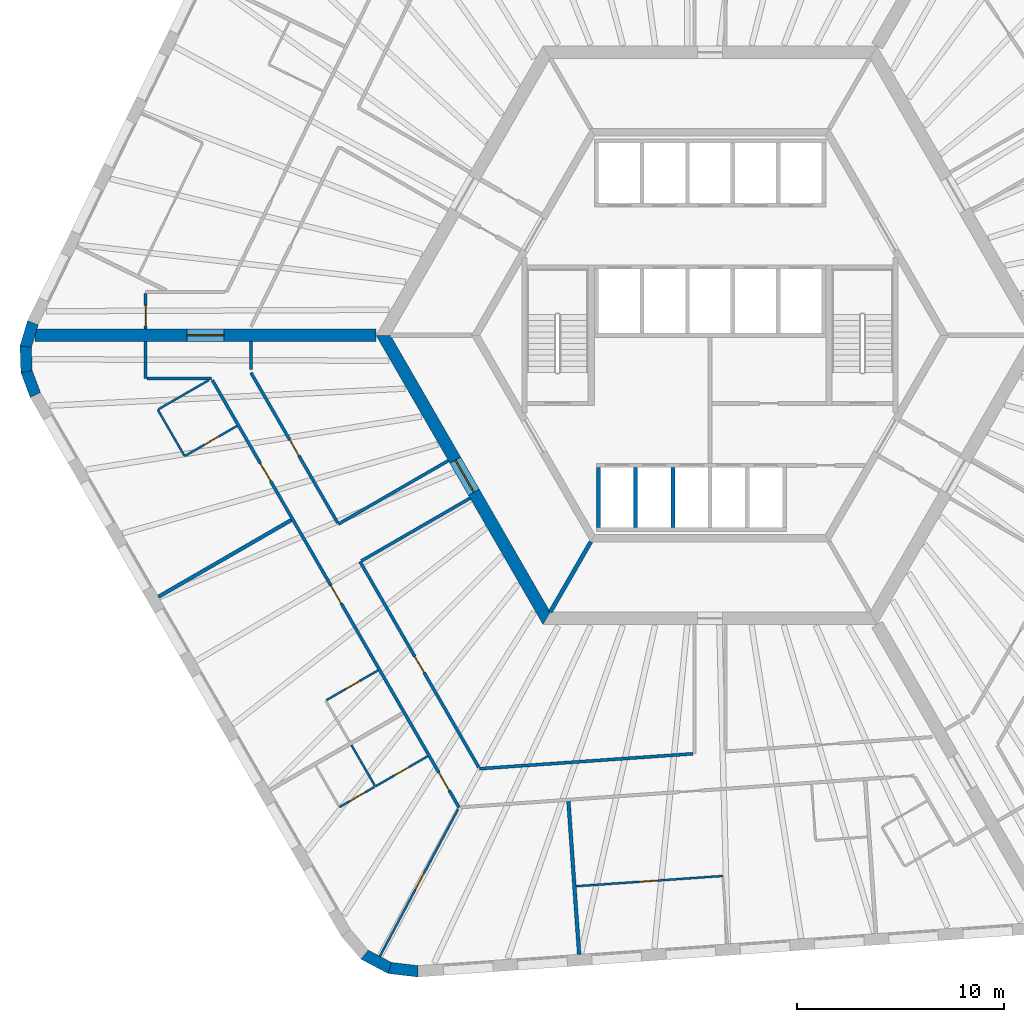
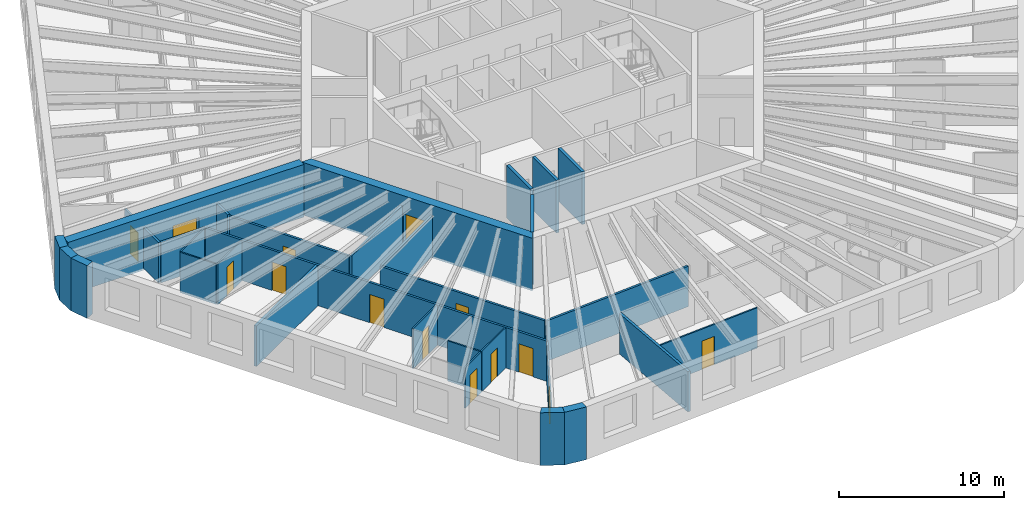
# One storey, part 3 of 12: 32 walls, 14 doors, 14 openings.
"""IFC4 building model written with IfcOpenShell, lengths in metres."""

import ifcopenshell
import ifcopenshell.guid

model = None  # the IFC model being written
_history = None  # IfcOwnerHistory: only IFC2X3 demands one
_inside = {}  # id of a spatial element -> (the spatial element, [elements in it])
_under = {}  # id of a project, library or spatial element -> (it, [spatial elements below it])
_declared = {}  # id of a project -> (the project, [libraries it declares])
_typed = {}  # id of a type object -> (the type object, [elements of that type])
_made_of = {}  # id of a material, layer set ... -> (it, [elements and type objects made of it])


def new_model(schema):
    """Start an empty IFC model of exactly this schema.

    Asked for "IFC4X3", IfcOpenShell would pick the latest addendum, in which some entities
    have other attributes; the version numbers below select the first issue.
    IFC2X3 requires an IfcOwnerHistory on every rooted entity: one is made here for all.
    """
    global model, _history
    if schema == "IFC4X3":
        model = ifcopenshell.file(schema_version=(4, 3, 0, 0))
    else:
        model = ifcopenshell.file(schema=schema)
    _inside.clear()
    _under.clear()
    _declared.clear()
    _typed.clear()
    _made_of.clear()
    _history = None
    if model.schema == "IFC2X3":
        org = make("IfcOrganization", Name="unknown")
        user = make(
            "IfcPersonAndOrganization",
            ThePerson=make("IfcPerson", FamilyName="unknown"),
            TheOrganization=org,
        )
        app = make(
            "IfcApplication",
            ApplicationDeveloper=org,
            Version="unknown",
            ApplicationFullName="unknown",
            ApplicationIdentifier="unknown",
        )
        _history = make(
            "IfcOwnerHistory",
            OwningUser=user,
            OwningApplication=app,
            ChangeAction="ADDED",
            CreationDate=0,
        )
    return model


def make(cls, **values):
    """One entity of the class cls with the attributes given. An attribute that is None is left unset."""
    return model.create_entity(
        cls, **{name: value for name, value in values.items() if value is not None}
    )


def rooted(cls, **values):
    """An entity with a GlobalId (a new one), such as an element, a storey or a relation."""
    return make(cls, GlobalId=ifcopenshell.guid.new(), OwnerHistory=_history, **values)


def si_unit(unit_type, name, prefix=None):
    """IfcSIUnit, for example si_unit("LENGTHUNIT", "METRE", prefix="MILLI")."""
    return make("IfcSIUnit", UnitType=unit_type, Prefix=prefix, Name=name)


def assignment(units):
    """IfcUnitAssignment: the units of a project."""
    return None if units is None else make("IfcUnitAssignment", Units=units)


def point(xyz):
    """IfcCartesianPoint."""
    return None if xyz is None else make("IfcCartesianPoint", Coordinates=xyz)


def direction(xyz):
    """IfcDirection."""
    return None if xyz is None else make("IfcDirection", DirectionRatios=xyz)


def frame(location, z_axis=None, x_axis=None):
    """IfcAxis2Placement3D, a coordinate frame: its origin and axes. An axis left out is left unset."""
    return make(
        "IfcAxis2Placement3D",
        Location=point(location),
        Axis=direction(z_axis),
        RefDirection=direction(x_axis),
    )


def frame_2d(location, x_axis=None):
    """IfcAxis2Placement2D, a coordinate frame in the plane: its origin and x axis."""
    return make(
        "IfcAxis2Placement2D", Location=point(location), RefDirection=direction(x_axis)
    )


def origin():
    """The frame at (0, 0, 0) with its axes left unset."""
    return frame((0.0, 0.0, 0.0))


def place(relative_to, where):
    """IfcLocalPlacement: puts the frame where relative to a parent placement (None: the world)."""
    return make(
        "IfcLocalPlacement", PlacementRelTo=relative_to, RelativePlacement=where
    )


def context(
    kind, dimensions, precision=None, world=None, true_north=None, identifier=None
):
    """IfcGeometricRepresentationContext, for example the 3D "Model" context."""
    return make(
        "IfcGeometricRepresentationContext",
        ContextIdentifier=identifier,
        ContextType=kind,
        CoordinateSpaceDimension=dimensions,
        Precision=precision,
        WorldCoordinateSystem=world,
        TrueNorth=true_north,
    )


def subcontext(parent, identifier, kind, view, scale=None):
    """IfcGeometricRepresentationSubContext, for example "Body" below "Model"."""
    return make(
        "IfcGeometricRepresentationSubContext",
        ContextIdentifier=identifier,
        ContextType=kind,
        ParentContext=parent,
        TargetScale=scale,
        TargetView=view,
    )


def project(units=None, contexts=None):
    """IfcProject with its units and contexts."""
    return rooted(
        "IfcProject",
        Name="project",
        RepresentationContexts=contexts,
        UnitsInContext=assignment(units),
    )


def spatial(cls, under=None, at=None, **own):
    """A site, building, storey or space (cls), placed at a placement, below another one or the project."""
    s = rooted(cls, ObjectPlacement=at, **own)
    if under is not None:
        _under.setdefault(under.id(), (under, []))[1].append(s)
    return s


def polyline(points):
    """IfcPolyline through the points."""
    return make("IfcPolyline", Points=[point(p) for p in points])


def profile(cls, at=None, kind="AREA", **sizes):
    """A parametric profile (cls). Its sizes go by their IFC names, for example OverallWidth=200.0."""
    return make(cls, ProfileType=kind, Position=at, **sizes)


def rectangle(**sizes):
    """IfcRectangleProfileDef."""
    return profile("IfcRectangleProfileDef", **sizes)


def outline(outer, holes=None, kind="AREA"):
    """IfcArbitraryClosedProfileDef: a profile drawn as a closed curve; with holes, ...WithVoids."""
    if holes is None:
        return make("IfcArbitraryClosedProfileDef", ProfileType=kind, OuterCurve=outer)
    return make(
        "IfcArbitraryProfileDefWithVoids",
        ProfileType=kind,
        OuterCurve=outer,
        InnerCurves=holes,
    )


def extrude(swept, where, along, depth):
    """IfcExtrudedAreaSolid: the profile swept, set in the frame where, extruded along a direction by depth."""
    return make(
        "IfcExtrudedAreaSolid",
        SweptArea=swept,
        Position=where,
        ExtrudedDirection=direction(along),
        Depth=depth,
    )


def shape(context_of_items, identifier, shape_type, items):
    """IfcShapeRepresentation: the items that make up one representation, for example the "Body"."""
    return make(
        "IfcShapeRepresentation",
        ContextOfItems=context_of_items,
        RepresentationIdentifier=identifier,
        RepresentationType=shape_type,
        Items=items,
    )


def material(Name=None, Category=None):
    """IfcMaterial."""
    return make("IfcMaterial", Name=Name, Category=Category)


def layer(
    of_material, thickness, ventilated=None, Name=None, Category=None, Priority=None
):
    """IfcMaterialLayer: one layer of a wall or slab, of a material (None: an air gap)."""
    return make(
        "IfcMaterialLayer",
        Material=of_material,
        LayerThickness=thickness,
        IsVentilated=ventilated,
        Name=Name,
        Category=Category,
        Priority=Priority,
    )


def layer_set(layers, Name=None):
    """IfcMaterialLayerSet."""
    return make("IfcMaterialLayerSet", MaterialLayers=layers, LayerSetName=Name)


def made_of(thing, what):
    """Note that an element or type object is made of a material, layer set ...; save() writes the relation."""
    if what is not None:
        _made_of.setdefault(what.id(), (what, []))[1].append(thing)
    return thing


def type_object(cls, material=None, **own):
    """A type object (cls), such as IfcWallType, which elements share."""
    return made_of(rooted(cls, **own), material)


def element(
    cls,
    number,
    at=None,
    inside=None,
    cuts=None,
    type_object=None,
    material=None,
    context=None,
    identifier="Body",
    shape_type=None,
    held_by="IfcProductDefinitionShape",
    body=None,
    shapes=None,
    **own,
):
    """One element of the class cls, such as IfcWall. Its Tag is "e" and its number.

    at: its placement. inside: the storey or other place that contains it. cuts: it is an
    opening in that element (IfcRelVoidsElement). A single representation is given by context,
    identifier, shape_type and body (its items); several are given by shapes. held_by: the class
    of the entity that holds the representations. save() writes the other relations.
    """
    e = rooted(cls, Tag="e%d" % number, ObjectPlacement=at, **own)
    if body is not None:
        shapes = [shape(context, identifier, shape_type, body)]
    if shapes is not None:
        e.Representation = make(held_by, Representations=shapes)
    if inside is not None:
        _inside.setdefault(inside.id(), (inside, []))[1].append(e)
    if cuts is not None:
        rooted(
            "IfcRelVoidsElement", RelatingBuildingElement=cuts, RelatedOpeningElement=e
        )
    if type_object is not None:
        _typed.setdefault(type_object.id(), (type_object, []))[1].append(e)
    return made_of(e, material)


def fill(opening, filler):
    """IfcRelFillsElement: the door or window that sits in an opening."""
    return rooted(
        "IfcRelFillsElement",
        RelatingOpeningElement=opening,
        RelatedBuildingElement=filler,
    )


def aggregate(whole, parts):
    """IfcRelAggregates: a whole, such as a stair, and the parts it consists of."""
    return rooted("IfcRelAggregates", RelatingObject=whole, RelatedObjects=parts)


def save(model, path):
    """Write the relations noted so far, then the file.

    IfcRelAggregates (storeys below a building ...), IfcRelContainedInSpatialStructure (elements
    in a storey), IfcRelDefinesByType, IfcRelAssociatesMaterial and IfcRelDeclares: one each for
    every whole, place, type object, material and project.
    """
    for whole, parts in _under.values():
        aggregate(whole, parts)
    for where, things in _inside.values():
        rooted(
            "IfcRelContainedInSpatialStructure",
            RelatedElements=things,
            RelatingStructure=where,
        )
    for kind, things in _typed.values():
        rooted("IfcRelDefinesByType", RelatedObjects=things, RelatingType=kind)
    for what, things in _made_of.values():
        rooted("IfcRelAssociatesMaterial", RelatedObjects=things, RelatingMaterial=what)
    for by, libraries in _declared.values():
        rooted("IfcRelDeclares", RelatingContext=by, RelatedDefinitions=libraries)
    model.write(path)


model = new_model("IFC4")

# Units and contexts
model_context = context("Model", 3, precision=1e-05, world=origin(), true_north=direction((0.0, 1.0)))
body_context = subcontext(model_context, "Body", "Model", "MODEL_VIEW")
ifc_project = project(units=[si_unit("LENGTHUNIT", "METRE"), si_unit("AREAUNIT", "SQUARE_METRE"), si_unit("VOLUMEUNIT", "CUBIC_METRE"), si_unit("PLANEANGLEUNIT", "RADIAN"), si_unit("MASSUNIT", "GRAM", prefix="KILO")], contexts=[model_context])

# Site, building, storey
site_placement = place(None, origin())
site = spatial("IfcSite", under=ifc_project, at=site_placement, CompositionType="ELEMENT")
building_placement = place(site_placement, origin())
building = spatial("IfcBuilding", under=site, at=building_placement, Name="Tarnside Tower", CompositionType="ELEMENT")
storey_placement = place(building_placement, frame((0.0, 0.0, 115.5)))
storey = spatial("IfcBuildingStorey", under=building, at=storey_placement, Name="L26", CompositionType="ELEMENT", Elevation=115.5)

# Wall, opening, door
ifc_material_1 = material(Name="Gypsum board partition on steel studs", Category="steel")
ifc_layer_1 = layer(ifc_material_1, 0.10009765625)
ifc_layer_set_1 = layer_set([ifc_layer_1], Name="Bathroom wall 100")
wall_type_1 = type_object("IfcWallType", Name="Bathroom wall 100", PredefinedType="PARTITIONING", material=ifc_layer_set_1)
wall_1_placement = place(storey_placement, frame((-22.898193359375, -4.38916015625, 0.0), z_axis=(0.0, 0.0, 1.0), x_axis=(-0.866046596414, -0.499963291492, 0.0)))
wall_1 = element("IfcWall", 1, at=wall_1_placement, inside=storey, type_object=wall_type_1, Name="Bathroom wall 08100", PredefinedType="PARTITIONING", context=body_context, shape_type="SweptSolid", body=[
    extrude(rectangle(XDim=2.925048828125, YDim=0.10009765625, at=frame_2d((1.46240234375, 0.0))), origin(), (0.0, 0.0, 1.0), 2.98779296875),
])
opening_1_placement = place(wall_1_placement, frame((1.02490234375, 0.0, 0.0)))
opening_1 = element("IfcOpeningElement", 2, at=opening_1_placement, cuts=wall_1, Name="Opening D-B1", PredefinedType="OPENING", context=body_context, shape_type="SweptSolid", body=[
    extrude(rectangle(XDim=0.800048828125, YDim=2.10009765625, at=frame_2d((0.39990234375, 1.050048828125))), frame((0.0, 0.06005859375, 0.0), z_axis=(0.0, -1.0, 0.0), x_axis=(1.0, 0.0, 0.0)), (0.0, 0.0, 1.0), 0.1201171875),
])
ifc_material_2 = material(Name="Timber door leaf", Category="wood")
door_type_1 = type_object("IfcDoorType", Name="Bathroom door 800", OperationType="NOTDEFINED", PredefinedType="DOOR", material=ifc_material_2)
door_1_placement = place(opening_1_placement, origin())
door_1 = element("IfcDoor", 3, at=door_1_placement, inside=storey, type_object=door_type_1, Name="Bathroom door 08016", OperationType="SINGLE_SWING_RIGHT", OverallHeight=2.10009765625, OverallWidth=0.800048828125, PredefinedType="DOOR", context=body_context, shape_type="SweptSolid", body=[
    extrude(rectangle(XDim=0.800048828125, YDim=2.10009765625, at=frame_2d((0.39990234375, 1.050048828125))), frame((0.0, 0.02490234375, 0.0), z_axis=(0.0, -1.0, 0.0), x_axis=(1.0, 0.0, 0.0)), (0.0, 0.0, 1.0), 0.050048828125),
])
fill(opening_1, door_1)

# Walls
wall_2_placement = place(storey_placement, frame((-25.456298828125, -5.808349609375, 0.0), z_axis=(0.0, 0.0, 1.0), x_axis=(-0.499990435942, 0.866030925526, 0.0)))
element("IfcWall", 4, at=wall_2_placement, inside=storey, type_object=wall_type_1, Name="Bathroom wall 08101", PredefinedType="PARTITIONING", context=body_context, shape_type="SweptSolid", body=[
    extrude(rectangle(XDim=2.5498046875, YDim=0.10009765625, at=frame_2d((1.27490234375, 0.0))), origin(), (0.0, 0.0, 1.0), 2.98779296875),
])
wall_3_placement = place(storey_placement, frame((-26.68798828125, -3.574951171875, 0.0), z_axis=(0.0, 0.0, 1.0), x_axis=(0.866034573852, 0.49998411664, 0.0)))
element("IfcWall", 5, at=wall_3_placement, inside=storey, type_object=wall_type_1, Name="Bathroom wall 08102", PredefinedType="PARTITIONING", context=body_context, shape_type="SweptSolid", body=[
    extrude(rectangle(XDim=2.7998046875, YDim=0.10009765625, at=frame_2d((1.39990234375, 0.0))), origin(), (0.0, 0.0, 1.0), 2.98779296875),
])

# Wall, opening, door
wall_4_placement = place(storey_placement, frame((-18.55859375, -17.65576171875, 0.0), z_axis=(0.0, 0.0, 1.0), x_axis=(0.866039941686, 0.499974818771, 0.0)))
wall_4 = element("IfcWall", 6, at=wall_4_placement, inside=storey, type_object=wall_type_1, Name="Bathroom wall 08105", PredefinedType="PARTITIONING", context=body_context, shape_type="SweptSolid", body=[
    extrude(rectangle(XDim=2.875244140625, YDim=0.10009765625, at=frame_2d((1.4375, 0.0))), origin(), (0.0, 0.0, 1.0), 2.98779296875),
])
opening_2_placement = place(wall_4_placement, frame((1.050048828125, 0.0, 0.0)))
opening_2 = element("IfcOpeningElement", 7, at=opening_2_placement, cuts=wall_4, Name="Opening D-B1", PredefinedType="OPENING", context=body_context, shape_type="SweptSolid", body=[
    extrude(rectangle(XDim=0.800048828125, YDim=2.10009765625, at=frame_2d((0.39990234375, 1.050048828125))), frame((0.0, 0.06005859375, 0.0), z_axis=(0.0, -1.0, 0.0), x_axis=(1.0, 0.0, 0.0)), (0.0, 0.0, 1.0), 0.1201171875),
])
door_2_placement = place(opening_2_placement, origin())
door_2 = element("IfcDoor", 8, at=door_2_placement, inside=storey, type_object=door_type_1, Name="Bathroom door 08018", OperationType="SINGLE_SWING_LEFT", OverallHeight=2.10009765625, OverallWidth=0.800048828125, PredefinedType="DOOR", context=body_context, shape_type="SweptSolid", body=[
    extrude(rectangle(XDim=0.800048828125, YDim=2.10009765625, at=frame_2d((0.39990234375, 1.050048828125))), frame((0.0, 0.02490234375, 0.0), z_axis=(0.0, -1.0, 0.0), x_axis=(1.0, 0.0, 0.0)), (0.0, 0.0, 1.0), 0.050048828125),
])
fill(opening_2, door_2)

wall_5_placement = place(storey_placement, frame((-13.668701171875, -20.375244140625, 0.0), z_axis=(0.0, 0.0, 1.0), x_axis=(-0.866046596414, -0.499963291492, 0.0)))
wall_5 = element("IfcWall", 9, at=wall_5_placement, inside=storey, type_object=wall_type_1, Name="Bathroom wall 08109", PredefinedType="PARTITIONING", context=body_context, shape_type="SweptSolid", body=[
    extrude(rectangle(XDim=2.925048828125, YDim=0.10009765625, at=frame_2d((1.46240234375, 0.0))), origin(), (0.0, 0.0, 1.0), 2.98779296875),
])
opening_3_placement = place(wall_5_placement, frame((1.02490234375, 0.0, 0.0)))
opening_3 = element("IfcOpeningElement", 10, at=opening_3_placement, cuts=wall_5, Name="Opening D-B1", PredefinedType="OPENING", context=body_context, shape_type="SweptSolid", body=[
    extrude(rectangle(XDim=0.800048828125, YDim=2.10009765625, at=frame_2d((0.39990234375, 1.050048828125))), frame((0.0, 0.06005859375, 0.0), z_axis=(0.0, -1.0, 0.0), x_axis=(1.0, 0.0, 0.0)), (0.0, 0.0, 1.0), 0.1201171875),
])
door_3_placement = place(opening_3_placement, origin())
door_3 = element("IfcDoor", 11, at=door_3_placement, inside=storey, type_object=door_type_1, Name="Bathroom door 08020", OperationType="SINGLE_SWING_RIGHT", OverallHeight=2.10009765625, OverallWidth=0.800048828125, PredefinedType="DOOR", context=body_context, shape_type="SweptSolid", body=[
    extrude(rectangle(XDim=0.800048828125, YDim=2.10009765625, at=frame_2d((0.39990234375, 1.050048828125))), frame((0.0, 0.02490234375, 0.0), z_axis=(0.0, -1.0, 0.0), x_axis=(1.0, 0.0, 0.0)), (0.0, 0.0, 1.0), 0.050048828125),
])
fill(opening_3, door_3)

# Wall
wall_6_placement = place(storey_placement, frame((-17.356689453125, -19.837158203125, 0.0), z_axis=(0.0, 0.0, 1.0), x_axis=(0.49995000081, -0.866054268906, 0.0)))
element("IfcWall", 12, at=wall_6_placement, inside=storey, type_object=wall_type_1, Name="Bathroom wall 08113", PredefinedType="PARTITIONING", context=body_context, shape_type="SweptSolid", body=[
    extrude(rectangle(XDim=2.260009765625, YDim=0.10009765625, at=frame_2d((1.1298828125, 0.0))), origin(), (0.0, 0.0, 1.0), 2.98779296875),
])

# Wall, opening, door
ifc_material_3 = material(Name="Concrete C80/95", Category="concrete")
ifc_layer_2 = layer(ifc_material_3, 0.60009765625)
ifc_layer_set_2 = layer_set([ifc_layer_2], Name="Core wall Z1 600 C80/95")
wall_type_2 = type_object("IfcWallType", Name="Core wall Z1 600 C80/95", PredefinedType="SHEAR", material=ifc_layer_set_2)
wall_7_placement = place(storey_placement, frame((-15.8193359375, 0.0, -0.14990234375), z_axis=(0.0, 0.0, 1.0), x_axis=(0.499999880136, -0.866025472988, 0.0)))
wall_7 = element("IfcWall", 13, at=wall_7_placement, inside=storey, type_object=wall_type_2, Name="L26 core wall face 3", PredefinedType="SHEAR", context=body_context, shape_type="SweptSolid", body=[
    extrude(outline(polyline([(-0.17333984375, -0.300048828125), (15.99267578125, -0.300048828125), (15.64599609375, 0.300048828125), (0.17333984375, 0.300048828125), (-0.17333984375, -0.300048828125)])), origin(), (0.0, 0.0, 1.0), 3.89990234375),
])
opening_4_placement = place(wall_7_placement, frame((6.980712890625, 0.0, 0.14990234375)))
opening_4 = element("IfcOpeningElement", 14, at=opening_4_placement, cuts=wall_7, Name="Opening CD-FFL", PredefinedType="OPENING", context=body_context, shape_type="SweptSolid", body=[
    extrude(rectangle(XDim=1.800048828125, YDim=2.39990234375, at=frame_2d((0.89990234375, 1.199951171875))), frame((0.0, 0.31005859375, 0.0), z_axis=(0.0, -1.0, 0.0), x_axis=(1.0, 0.0, 0.0)), (0.0, 0.0, 1.0), 0.6201171875),
])
ifc_material_4 = material(Name="Steel fire door", Category="steel")
door_type_2 = type_object("IfcDoorType", Name="Firefighting lobby double door FD60S 1800x2400", OperationType="NOTDEFINED", PredefinedType="DOOR", material=ifc_material_4)
door_4_placement = place(opening_4_placement, origin())
door_4 = element("IfcDoor", 15, at=door_4_placement, inside=storey, type_object=door_type_2, Name="L26 core door P3", OperationType="DOUBLE_DOOR_SINGLE_SWING", OverallHeight=2.39990234375, OverallWidth=1.800048828125, PredefinedType="DOOR", context=body_context, shape_type="SweptSolid", body=[
    extrude(rectangle(XDim=1.800048828125, YDim=2.39990234375, at=frame_2d((0.89990234375, 1.199951171875))), frame((0.0, 0.02490234375, 0.0), z_axis=(0.0, -1.0, 0.0), x_axis=(1.0, 0.0, 0.0)), (0.0, 0.0, 1.0), 0.050048828125),
])
fill(opening_4, door_4)

wall_8_placement = place(storey_placement, frame((-16.165771484375, 0.0, -0.14990234375), z_axis=(0.0, 0.0, 1.0), x_axis=(-1.0, 0.0, 0.0)))
wall_8 = element("IfcWall", 16, at=wall_8_placement, inside=storey, type_object=wall_type_2, Name="L26 spine wall 2", PredefinedType="SHEAR", context=body_context, shape_type="SweptSolid", body=[
    extrude(rectangle(XDim=16.509033203125, YDim=0.60009765625, at=frame_2d((8.25439453125, 0.0))), origin(), (0.0, 0.0, 1.0), 3.89990234375),
])
opening_5_placement = place(wall_8_placement, frame((7.3544921875, 0.0, 0.14990234375)))
opening_5 = element("IfcOpeningElement", 17, at=opening_5_placement, cuts=wall_8, Name="Opening CD-SPN", PredefinedType="OPENING", context=body_context, shape_type="SweptSolid", body=[
    extrude(rectangle(XDim=1.800048828125, YDim=2.39990234375, at=frame_2d((0.89990234375, 1.199951171875))), frame((0.0, 0.31005859375, 0.0), z_axis=(0.0, -1.0, 0.0), x_axis=(1.0, 0.0, 0.0)), (0.0, 0.0, 1.0), 0.6201171875),
])
door_type_3 = type_object("IfcDoorType", Name="Spine passage double door FD60 1800x2400", OperationType="NOTDEFINED", PredefinedType="DOOR", material=ifc_material_4)
door_5_placement = place(opening_5_placement, origin())
door_5 = element("IfcDoor", 18, at=door_5_placement, inside=storey, type_object=door_type_3, Name="L26 spine passage door 2", OperationType="DOUBLE_DOOR_SINGLE_SWING", OverallHeight=2.39990234375, OverallWidth=1.800048828125, PredefinedType="DOOR", context=body_context, shape_type="SweptSolid", body=[
    extrude(rectangle(XDim=1.800048828125, YDim=2.39990234375, at=frame_2d((0.89990234375, 1.199951171875))), frame((0.0, 0.02490234375, 0.0), z_axis=(0.0, -1.0, 0.0), x_axis=(1.0, 0.0, 0.0)), (0.0, 0.0, 1.0), 0.050048828125),
])
fill(opening_5, door_5)

ifc_layer_3 = layer(ifc_material_1, 0.14990234375)
ifc_layer_set_3 = layer_set([ifc_layer_3], Name="Corridor wall 150 EI 60")
wall_type_3 = type_object("IfcWallType", Name="Corridor wall 150 EI 60", PredefinedType="PARTITIONING", material=ifc_layer_set_3)
wall_9_placement = place(storey_placement, frame((-27.3203125, 2.02490234375, 0.0), z_axis=(0.0, 0.0, 1.0), x_axis=(0.0, -1.0, 0.0)))
wall_9 = element("IfcWall", 19, at=wall_9_placement, inside=storey, type_object=wall_type_3, Name="Corridor wall 08015", PredefinedType="PARTITIONING", context=body_context, shape_type="SweptSolid", body=[
    extrude(rectangle(XDim=1.724853515625, YDim=0.14990234375, at=frame_2d((0.8623046875, 0.0))), origin(), (0.0, 0.0, 1.0), 2.98779296875),
])
opening_6_placement = place(wall_9_placement, frame((0.574951171875, 0.0, 0.0)))
opening_6 = element("IfcOpeningElement", 20, at=opening_6_placement, cuts=wall_9, Name="Opening D-E1", PredefinedType="OPENING", context=body_context, shape_type="SweptSolid", body=[
    extrude(rectangle(XDim=1.0, YDim=2.10009765625, at=frame_2d((0.5, 1.050048828125))), frame((0.0, 0.0849609375, 0.0), z_axis=(0.0, -1.0, 0.0), x_axis=(1.0, 0.0, 0.0)), (0.0, 0.0, 1.0), 0.169921875),
])
door_type_4 = type_object("IfcDoorType", Name="Unit entrance door 1000 FD30S", OperationType="NOTDEFINED", PredefinedType="DOOR", material=ifc_material_2)
door_6_placement = place(opening_6_placement, origin())
door_6 = element("IfcDoor", 21, at=door_6_placement, inside=storey, type_object=door_type_4, Name="Unit door 08014", OperationType="SINGLE_SWING_LEFT", OverallHeight=2.10009765625, OverallWidth=1.0, PredefinedType="DOOR", context=body_context, shape_type="SweptSolid", body=[
    extrude(rectangle(XDim=1.0, YDim=2.10009765625, at=frame_2d((0.5, 1.050048828125))), frame((0.0, 0.02490234375, 0.0), z_axis=(0.0, -1.0, 0.0), x_axis=(1.0, 0.0, 0.0)), (0.0, 0.0, 1.0), 0.050048828125),
])
fill(opening_6, door_6)

# Walls
wall_10_placement = place(storey_placement, frame((-27.3203125, -0.300048828125, 0.0), z_axis=(0.0, 0.0, 1.0), x_axis=(0.0, -1.0, 0.0)))
element("IfcWall", 22, at=wall_10_placement, inside=storey, type_object=wall_type_3, Name="Corridor wall 08025", PredefinedType="PARTITIONING", context=body_context, shape_type="SweptSolid", body=[
    extrude(rectangle(XDim=1.800048828125, YDim=0.14990234375, at=frame_2d((0.89990234375, 0.0))), origin(), (0.0, 0.0, 1.0), 2.98779296875),
])
wall_11_placement = place(storey_placement, frame((-27.245361328125, -2.10009765625, 0.0), z_axis=(0.0, 0.0, 1.0), x_axis=(1.0, 0.0, 0.0)))
element("IfcWall", 23, at=wall_11_placement, inside=storey, type_object=wall_type_3, Name="Corridor wall 08026", PredefinedType="PARTITIONING", context=body_context, shape_type="SweptSolid", body=[
    extrude(rectangle(XDim=3.112060546875, YDim=0.14990234375, at=frame_2d((1.55615234375, 0.0))), origin(), (0.0, 0.0, 1.0), 2.98779296875),
])

# Wall, openings, doors
wall_12_placement = place(storey_placement, frame((-24.08984375, -2.175048828125, 0.0), z_axis=(0.0, 0.0, 1.0), x_axis=(0.499996832073, -0.86602723278, 0.0)))
wall_12 = element("IfcWall", 24, at=wall_12_placement, inside=storey, type_object=wall_type_3, Name="Corridor wall 08027", PredefinedType="PARTITIONING", context=body_context, shape_type="SweptSolid", body=[
    extrude(rectangle(XDim=23.877197265625, YDim=0.14990234375, at=frame_2d((11.9384765625, 0.0))), origin(), (0.0, 0.0, 1.0), 2.98779296875),
])
opening_7_placement = place(wall_12_placement, frame((4.642822265625, 0.0, 0.0)))
opening_7 = element("IfcOpeningElement", 25, at=opening_7_placement, cuts=wall_12, Name="Opening D-E1", PredefinedType="OPENING", context=body_context, shape_type="SweptSolid", body=[
    extrude(rectangle(XDim=1.0, YDim=2.10009765625, at=frame_2d((0.5, 1.050048828125))), frame((0.0, 0.0849609375, 0.0), z_axis=(0.0, -1.0, 0.0), x_axis=(1.0, 0.0, 0.0)), (0.0, 0.0, 1.0), 0.169921875),
])
opening_8_placement = place(wall_12_placement, frame((11.472412109375, 0.0, 0.0)))
opening_8 = element("IfcOpeningElement", 26, at=opening_8_placement, cuts=wall_12, Name="Opening D-E1", PredefinedType="OPENING", context=body_context, shape_type="SweptSolid", body=[
    extrude(rectangle(XDim=1.0, YDim=2.10009765625, at=frame_2d((0.5, 1.050048828125))), frame((0.0, 0.0849609375, 0.0), z_axis=(0.0, -1.0, 0.0), x_axis=(1.0, 0.0, 0.0)), (0.0, 0.0, 1.0), 0.169921875),
])
opening_9_placement = place(wall_12_placement, frame((21.9248046875, 0.0, 0.0)))
opening_9 = element("IfcOpeningElement", 27, at=opening_9_placement, cuts=wall_12, Name="Opening D-E1", PredefinedType="OPENING", context=body_context, shape_type="SweptSolid", body=[
    extrude(rectangle(XDim=1.0, YDim=2.10009765625, at=frame_2d((0.5, 1.050048828125))), frame((0.0, 0.0849609375, 0.0), z_axis=(0.0, -1.0, 0.0), x_axis=(1.0, 0.0, 0.0)), (0.0, 0.0, 1.0), 0.169921875),
])
door_7_placement = place(opening_7_placement, origin())
door_7 = element("IfcDoor", 28, at=door_7_placement, inside=storey, type_object=door_type_4, Name="Unit door 08015", OperationType="SINGLE_SWING_RIGHT", OverallHeight=2.10009765625, OverallWidth=1.0, PredefinedType="DOOR", context=body_context, shape_type="SweptSolid", body=[
    extrude(rectangle(XDim=1.0, YDim=2.10009765625, at=frame_2d((0.5, 1.050048828125))), frame((0.0, 0.02490234375, 0.0), z_axis=(0.0, -1.0, 0.0), x_axis=(1.0, 0.0, 0.0)), (0.0, 0.0, 1.0), 0.050048828125),
])
fill(opening_7, door_7)
door_8_placement = place(opening_8_placement, origin())
door_8 = element("IfcDoor", 29, at=door_8_placement, inside=storey, type_object=door_type_4, Name="Unit door 08017", OperationType="SINGLE_SWING_RIGHT", OverallHeight=2.10009765625, OverallWidth=1.0, PredefinedType="DOOR", context=body_context, shape_type="SweptSolid", body=[
    extrude(rectangle(XDim=1.0, YDim=2.10009765625, at=frame_2d((0.5, 1.050048828125))), frame((0.0, 0.02490234375, 0.0), z_axis=(0.0, -1.0, 0.0), x_axis=(1.0, 0.0, 0.0)), (0.0, 0.0, 1.0), 0.050048828125),
])
fill(opening_8, door_8)
door_9_placement = place(opening_9_placement, origin())
door_9 = element("IfcDoor", 30, at=door_9_placement, inside=storey, type_object=door_type_4, Name="Unit door 08019", OperationType="SINGLE_SWING_RIGHT", OverallHeight=2.10009765625, OverallWidth=1.0, PredefinedType="DOOR", context=body_context, shape_type="SweptSolid", body=[
    extrude(rectangle(XDim=1.0, YDim=2.10009765625, at=frame_2d((0.5, 1.050048828125))), frame((0.0, 0.02490234375, 0.0), z_axis=(0.0, -1.0, 0.0), x_axis=(1.0, 0.0, 0.0)), (0.0, 0.0, 1.0), 0.050048828125),
])
fill(opening_9, door_9)

# Wall
wall_13_placement = place(storey_placement, frame((-12.663818359375, -6.065673828125, 0.0), z_axis=(0.0, 0.0, 1.0), x_axis=(-0.866023618125, -0.500003092839, 0.0)))
element("IfcWall", 31, at=wall_13_placement, inside=storey, type_object=wall_type_3, Name="Corridor wall 08041", PredefinedType="PARTITIONING", context=body_context, shape_type="SweptSolid", body=[
    extrude(rectangle(XDim=6.14990234375, YDim=0.14990234375, at=frame_2d((3.074951171875, 0.0))), origin(), (0.0, 0.0, 1.0), 2.98779296875),
])

# Wall, opening, door
wall_14_placement = place(storey_placement, frame((-18.02734375, -9.07568359375, 0.0), z_axis=(0.0, 0.0, 1.0), x_axis=(-0.500007318041, 0.86602117867, 0.0)))
wall_14 = element("IfcWall", 32, at=wall_14_placement, inside=storey, type_object=wall_type_3, Name="Corridor wall 08042", PredefinedType="PARTITIONING", context=body_context, shape_type="SweptSolid", body=[
    extrude(rectangle(XDim=8.383056640625, YDim=0.14990234375, at=frame_2d((4.19140625, 0.0))), origin(), (0.0, 0.0, 1.0), 2.98779296875),
])
opening_10_placement = place(wall_14_placement, frame((3.74169921875, 0.0, 0.0)))
opening_10 = element("IfcOpeningElement", 33, at=opening_10_placement, cuts=wall_14, Name="Opening D-S1", PredefinedType="OPENING", context=body_context, shape_type="SweptSolid", body=[
    extrude(rectangle(XDim=0.89990234375, YDim=2.10009765625, at=frame_2d((0.449951171875, 1.050048828125))), frame((0.0, 0.0849609375, 0.0), z_axis=(0.0, -1.0, 0.0), x_axis=(1.0, 0.0, 0.0)), (0.0, 0.0, 1.0), 0.169921875),
])
door_type_5 = type_object("IfcDoorType", Name="Service room door 900 FD30S", OperationType="NOTDEFINED", PredefinedType="DOOR", material=ifc_material_2)
door_10_placement = place(opening_10_placement, origin())
door_10 = element("IfcDoor", 34, at=door_10_placement, inside=storey, type_object=door_type_5, Name="Service door 08043", OperationType="SINGLE_SWING_RIGHT", OverallHeight=2.10009765625, OverallWidth=0.89990234375, PredefinedType="DOOR", context=body_context, shape_type="SweptSolid", body=[
    extrude(rectangle(XDim=0.89990234375, YDim=2.10009765625, at=frame_2d((0.449951171875, 1.050048828125))), frame((0.0, 0.02490234375, 0.0), z_axis=(0.0, -1.0, 0.0), x_axis=(1.0, 0.0, 0.0)), (0.0, 0.0, 1.0), 0.050048828125),
])
fill(opening_10, door_10)

# Walls
wall_15_placement = place(storey_placement, frame((-22.218994140625, -1.665771484375, 0.0), z_axis=(0.0, 0.0, 1.0), x_axis=(0.0, 1.0, 0.0)))
element("IfcWall", 35, at=wall_15_placement, inside=storey, type_object=wall_type_3, Name="Corridor wall 08043", PredefinedType="PARTITIONING", context=body_context, shape_type="SweptSolid", body=[
    extrude(rectangle(XDim=1.36572265625, YDim=0.14990234375, at=frame_2d((0.682861328125, 0.0))), origin(), (0.0, 0.0, 1.0), 2.98779296875),
])
wall_16_placement = place(storey_placement, frame((-0.824951171875, -20.2568359375, 0.0), z_axis=(0.0, 0.0, 1.0), x_axis=(-0.9975635143, -0.069764137903, 0.0)))
element("IfcWall", 36, at=wall_16_placement, inside=storey, type_object=wall_type_3, Name="Corridor wall 08045", PredefinedType="PARTITIONING", context=body_context, shape_type="SweptSolid", body=[
    extrude(rectangle(XDim=10.35498046875, YDim=0.14990234375, at=frame_2d((5.177490234375, 0.0))), origin(), (0.0, 0.0, 1.0), 2.98779296875),
])

# Wall, opening, door
wall_17_placement = place(storey_placement, frame((-11.196533203125, -20.906982421875, 0.0), z_axis=(0.0, 0.0, 1.0), x_axis=(-0.500004557924, 0.86602277225, 0.0)))
wall_17 = element("IfcWall", 37, at=wall_17_placement, inside=storey, type_object=wall_type_3, Name="Corridor wall 08046", PredefinedType="PARTITIONING", context=body_context, shape_type="SweptSolid", body=[
    extrude(rectangle(XDim=11.48681640625, YDim=0.14990234375, at=frame_2d((5.743408203125, 0.0))), origin(), (0.0, 0.0, 1.0), 2.98779296875),
])
opening_11_placement = place(wall_17_placement, frame((5.293212890625, 0.0, 0.0)))
opening_11 = element("IfcOpeningElement", 38, at=opening_11_placement, cuts=wall_17, Name="Opening D-S1", PredefinedType="OPENING", context=body_context, shape_type="SweptSolid", body=[
    extrude(rectangle(XDim=0.89990234375, YDim=2.10009765625, at=frame_2d((0.449951171875, 1.050048828125))), frame((0.0, 0.0849609375, 0.0), z_axis=(0.0, -1.0, 0.0), x_axis=(1.0, 0.0, 0.0)), (0.0, 0.0, 1.0), 0.169921875),
])
door_11_placement = place(opening_11_placement, origin())
door_11 = element("IfcDoor", 39, at=door_11_placement, inside=storey, type_object=door_type_5, Name="Service door 08044", OperationType="SINGLE_SWING_RIGHT", OverallHeight=2.10009765625, OverallWidth=0.89990234375, PredefinedType="DOOR", context=body_context, shape_type="SweptSolid", body=[
    extrude(rectangle(XDim=0.89990234375, YDim=2.10009765625, at=frame_2d((0.449951171875, 1.050048828125))), frame((0.0, 0.02490234375, 0.0), z_axis=(0.0, -1.0, 0.0), x_axis=(1.0, 0.0, 0.0)), (0.0, 0.0, 1.0), 0.050048828125),
])
fill(opening_11, door_11)

# Walls
wall_18_placement = place(storey_placement, frame((-16.875, -10.921875, 0.0), z_axis=(0.0, 0.0, 1.0), x_axis=(0.866023634079, 0.500003065207, 0.0)))
element("IfcWall", 40, at=wall_18_placement, inside=storey, type_object=wall_type_3, Name="Corridor wall 08047", PredefinedType="PARTITIONING", context=body_context, shape_type="SweptSolid", body=[
    extrude(rectangle(XDim=6.0751953125, YDim=0.14990234375, at=frame_2d((3.03759765625, 0.0))), origin(), (0.0, 0.0, 1.0), 2.98779296875),
])
ifc_layer_4 = layer(ifc_material_1, 0.179931640625)
ifc_layer_set_4 = layer_set([ifc_layer_4], Name="Demising wall 180 EI 60")
wall_type_4 = type_object("IfcWallType", Name="Demising wall 180 EI 60", PredefinedType="PARTITIONING", material=ifc_layer_set_4)
wall_19_placement = place(storey_placement, frame((-26.698974609375, -12.656005859375, 0.0), z_axis=(0.0, 0.0, 1.0), x_axis=(0.866028983062, 0.499993800457, 0.0)))
element("IfcWall", 41, at=wall_19_placement, inside=storey, type_object=wall_type_4, Name="Demising wall 08103", PredefinedType="PARTITIONING", context=body_context, shape_type="SweptSolid", body=[
    extrude(rectangle(XDim=7.4248046875, YDim=0.179931640625, at=frame_2d((3.71240234375, 0.0))), origin(), (0.0, 0.0, 1.0), 2.98779296875),
])
wall_20_placement = place(storey_placement, frame((-6.336181640625, -29.965087890625, 0.0), z_axis=(0.0, 0.0, 1.0), x_axis=(-0.06977252161, 0.997562927954, 0.0)))
element("IfcWall", 42, at=wall_20_placement, inside=storey, type_object=wall_type_4, Name="Demising wall 08114", PredefinedType="PARTITIONING", context=body_context, shape_type="SweptSolid", body=[
    extrude(rectangle(XDim=7.425048828125, YDim=0.179931640625, at=frame_2d((3.71240234375, 0.0))), origin(), (0.0, 0.0, 1.0), 2.98779296875),
])
ifc_material_5 = material(Name="Concrete C40/50", Category="concrete")
ifc_layer_5 = layer(ifc_material_5, 0.199951171875)
ifc_layer_set_5 = layer_set([ifc_layer_5], Name="Lift shaft wall 200 C40/50")
wall_type_5 = type_object("IfcWallType", Name="Lift shaft wall 200 C40/50", PredefinedType="SHEAR", material=ifc_layer_set_5)
for number, where, z_axis, x_axis, name in (
    (43, (-5.39990234375, -9.300048828125, -0.25), (0.0, 0.0, 1.0), (0.0, 1.0, 0.0), "L26 lift shaft partition R41"),
    (44, (-3.60009765625, -9.300048828125, -0.25), (0.0, 0.0, 1.0), (0.0, 1.0, 0.0), "L26 lift shaft partition R42"),
    (45, (-1.800048828125, -9.300048828125, -0.25), (0.0, 0.0, 1.0), (0.0, 1.0, 0.0), "L26 lift shaft partition R43"),
):
    element("IfcWall", number, at=place(storey_placement, frame(where, z_axis=z_axis, x_axis=x_axis)), inside=storey, type_object=wall_type_5, Name=name, PredefinedType="SHEAR", context=body_context, shape_type="SweptSolid", body=[
        extrude(rectangle(XDim=2.900146484375, YDim=0.199951171875, at=frame_2d((1.4501953125, 0.0))), origin(), (0.0, 0.0, 1.0), 3.89990234375),
    ])
wall_21_placement = place(storey_placement, frame((-5.7734375, -10.0, -0.14990234375), z_axis=(0.0, 0.0, 1.0), x_axis=(-0.500038251005, -0.86600331843, 0.0)))
element("IfcWall", 46, at=wall_21_placement, inside=storey, type_object=wall_type_5, Name="L26 core partition AR240", PredefinedType="SHEAR", context=body_context, shape_type="SweptSolid", body=[
    extrude(rectangle(XDim=3.926025390625, YDim=0.199951171875, at=frame_2d((1.962890625, 0.0))), origin(), (0.0, 0.0, 1.0), 3.89990234375),
])

# Wall, opening, door
ifc_layer_6 = layer(ifc_material_1, 0.10009765625)
ifc_layer_set_6 = layer_set([ifc_layer_6], Name="Partition 100")
wall_type_6 = type_object("IfcWallType", Name="Partition 100", PredefinedType="PARTITIONING", material=ifc_layer_set_6)
wall_22_placement = place(storey_placement, frame((-16.2451171875, -21.862548828125, 0.0), z_axis=(0.0, 0.0, 1.0), x_axis=(-0.866000020948, -0.500043961785, 0.0)))
wall_22 = element("IfcWall", 47, at=wall_22_placement, inside=storey, type_object=wall_type_6, Name="Partition wall 08110", PredefinedType="PARTITIONING", context=body_context, shape_type="SweptSolid", body=[
    extrude(rectangle(XDim=1.949951171875, YDim=0.10009765625, at=frame_2d((0.97509765625, 0.0))), origin(), (0.0, 0.0, 1.0), 2.98779296875),
])
opening_12_placement = place(wall_22_placement, frame((0.5, 0.0, 0.0)))
opening_12 = element("IfcOpeningElement", 48, at=opening_12_placement, cuts=wall_22, Name="Opening D-I1", PredefinedType="OPENING", context=body_context, shape_type="SweptSolid", body=[
    extrude(rectangle(XDim=0.89990234375, YDim=2.10009765625, at=frame_2d((0.449951171875, 1.050048828125))), frame((0.0, 0.06005859375, 0.0), z_axis=(0.0, -1.0, 0.0), x_axis=(1.0, 0.0, 0.0)), (0.0, 0.0, 1.0), 0.1201171875),
])
door_type_6 = type_object("IfcDoorType", Name="Internal door 900", OperationType="NOTDEFINED", PredefinedType="DOOR", material=ifc_material_2)
door_12_placement = place(opening_12_placement, origin())
door_12 = element("IfcDoor", 49, at=door_12_placement, inside=storey, type_object=door_type_6, Name="Internal door 08021", OperationType="SINGLE_SWING_RIGHT", OverallHeight=2.10009765625, OverallWidth=0.89990234375, PredefinedType="DOOR", context=body_context, shape_type="SweptSolid", body=[
    extrude(rectangle(XDim=0.89990234375, YDim=2.10009765625, at=frame_2d((0.449951171875, 1.050048828125))), frame((0.0, 0.02490234375, 0.0), z_axis=(0.0, -1.0, 0.0), x_axis=(1.0, 0.0, 0.0)), (0.0, 0.0, 1.0), 0.050048828125),
])
fill(opening_12, door_12)

wall_23_placement = place(storey_placement, frame((-15.98291015625, -30.059326171875, 0.0), z_axis=(0.0, 0.0, 1.0), x_axis=(0.469476547643, 0.882944942346, 0.0)))
wall_23 = element("IfcWall", 50, at=wall_23_placement, inside=storey, type_object=wall_type_6, Name="Partition wall 08112", PredefinedType="PARTITIONING", context=body_context, shape_type="SweptSolid", body=[
    extrude(rectangle(XDim=8.072998046875, YDim=0.10009765625, at=frame_2d((4.03662109375, 0.0))), origin(), (0.0, 0.0, 1.0), 2.98779296875),
])
opening_13_placement = place(wall_23_placement, frame((3.630615234375, 0.0, 0.0)))
opening_13 = element("IfcOpeningElement", 51, at=opening_13_placement, cuts=wall_23, Name="Opening D-I1", PredefinedType="OPENING", context=body_context, shape_type="SweptSolid", body=[
    extrude(rectangle(XDim=0.89990234375, YDim=2.10009765625, at=frame_2d((0.449951171875, 1.050048828125))), frame((0.0, 0.06005859375, 0.0), z_axis=(0.0, -1.0, 0.0), x_axis=(1.0, 0.0, 0.0)), (0.0, 0.0, 1.0), 0.1201171875),
])
door_13_placement = place(opening_13_placement, origin())
door_13 = element("IfcDoor", 52, at=door_13_placement, inside=storey, type_object=door_type_6, Name="Internal door 08022", OperationType="SINGLE_SWING_LEFT", OverallHeight=2.10009765625, OverallWidth=0.89990234375, PredefinedType="DOOR", context=body_context, shape_type="SweptSolid", body=[
    extrude(rectangle(XDim=0.89990234375, YDim=2.10009765625, at=frame_2d((0.449951171875, 1.050048828125))), frame((0.0, 0.02490234375, 0.0), z_axis=(0.0, -1.0, 0.0), x_axis=(1.0, 0.0, 0.0)), (0.0, 0.0, 1.0), 0.050048828125),
])
fill(opening_13, door_13)

wall_24_placement = place(storey_placement, frame((-6.476806640625, -26.666748046875, 0.0), z_axis=(0.0, 0.0, 1.0), x_axis=(0.997565277642, 0.069738919141, 0.0)))
wall_24 = element("IfcWall", 53, at=wall_24_placement, inside=storey, type_object=wall_type_6, Name="Partition wall 08118", PredefinedType="PARTITIONING", context=body_context, shape_type="SweptSolid", body=[
    extrude(rectangle(XDim=7.110107421875, YDim=0.10009765625, at=frame_2d((3.55517578125, 0.0))), origin(), (0.0, 0.0, 1.0), 2.98779296875),
])
opening_14_placement = place(wall_24_placement, frame((3.06005859375, 0.0, 0.0)))
opening_14 = element("IfcOpeningElement", 54, at=opening_14_placement, cuts=wall_24, Name="Opening D-I1", PredefinedType="OPENING", context=body_context, shape_type="SweptSolid", body=[
    extrude(rectangle(XDim=0.89990234375, YDim=2.10009765625, at=frame_2d((0.449951171875, 1.050048828125))), frame((0.0, 0.06005859375, 0.0), z_axis=(0.0, -1.0, 0.0), x_axis=(1.0, 0.0, 0.0)), (0.0, 0.0, 1.0), 0.1201171875),
])
door_14_placement = place(opening_14_placement, origin())
door_14 = element("IfcDoor", 55, at=door_14_placement, inside=storey, type_object=door_type_6, Name="Internal door 08025", OperationType="SINGLE_SWING_RIGHT", OverallHeight=2.10009765625, OverallWidth=0.89990234375, PredefinedType="DOOR", context=body_context, shape_type="SweptSolid", body=[
    extrude(rectangle(XDim=0.89990234375, YDim=2.10009765625, at=frame_2d((0.449951171875, 1.050048828125))), frame((0.0, 0.02490234375, 0.0), z_axis=(0.0, -1.0, 0.0), x_axis=(1.0, 0.0, 0.0)), (0.0, 0.0, 1.0), 0.050048828125),
])
fill(opening_14, door_14)

# Walls
ifc_material_6 = material(Name="Facing brick", Category="masonry")
ifc_layer_7 = layer(ifc_material_6, 0.10205078125)
ifc_material_7 = material(Name="Concrete C60/75 precast", Category="concrete")
ifc_layer_8 = layer(ifc_material_7, 0.347900390625)
ifc_material_8 = material(Name="Mineral wool insulation")
ifc_layer_9 = layer(ifc_material_8, 0.10009765625)
ifc_layer_set_7 = layer_set([ifc_layer_7, ifc_layer_8, ifc_layer_9], Name="Tube wall 550 brick faced")
wall_type_7 = type_object("IfcWallType", Name="Tube wall 550 brick faced", PredefinedType="SOLIDWALL", material=ifc_layer_set_7)
wall_25_placement = place(storey_placement, frame((-32.77685546875, 0.605224609375, -0.14990234375), z_axis=(0.0, 0.0, 1.0), x_axis=(-0.286921497463, -0.957954098219, 0.0)))
element("IfcWall", 56, at=wall_25_placement, inside=storey, type_object=wall_type_7, Name="Tube wall L26 F2 chord 05", PredefinedType="SOLIDWALL", context=body_context, shape_type="SweptSolid", body=[
    extrude(outline(polyline([(-0.0224609375, -0.27490234375), (1.25341796875, -0.27490234375), (1.1630859375, 0.27490234375), (0.0224609375, 0.27490234375), (-0.0224609375, -0.27490234375)])), origin(), (0.0, 0.0, 1.0), 3.89990234375),
])
wall_26_placement = place(storey_placement, frame((-33.12353515625, -0.55224609375, -0.14990234375), z_axis=(0.0, 0.0, 1.0), x_axis=(0.03495638276, -0.999388838893, 0.0)))
element("IfcWall", 57, at=wall_26_placement, inside=storey, type_object=wall_type_7, Name="Tube wall L26 F2 chord 06", PredefinedType="SOLIDWALL", context=body_context, shape_type="SweptSolid", body=[
    extrude(outline(polyline([(-0.045166015625, -0.27490234375), (1.25341796875, -0.27490234375), (1.1630859375, 0.27490234375), (0.045166015625, 0.27490234375), (-0.045166015625, -0.27490234375)])), origin(), (0.0, 0.0, 1.0), 3.89990234375),
])
wall_27_placement = place(storey_placement, frame((-33.081298828125, -1.759765625, -0.14990234375), z_axis=(0.0, 0.0, 1.0), x_axis=(0.353027214741, -0.935613053378, 0.0)))
element("IfcWall", 58, at=wall_27_placement, inside=storey, type_object=wall_type_7, Name="Tube wall L26 F2 chord 07", PredefinedType="SOLIDWALL", context=body_context, shape_type="SweptSolid", body=[
    extrude(outline(polyline([(-0.045166015625, -0.27490234375), (1.230712890625, -0.27490234375), (1.185791015625, 0.27490234375), (0.045166015625, 0.27490234375), (-0.045166015625, -0.27490234375)])), origin(), (0.0, 0.0, 1.0), 3.89990234375),
])
wall_28_placement = place(storey_placement, frame((-16.720703125, -29.978515625, -0.14990234375), z_axis=(0.0, 0.0, 1.0), x_axis=(0.882994189209, -0.469383917304, 0.0)))
element("IfcWall", 59, at=wall_28_placement, inside=storey, type_object=wall_type_7, Name="Tube wall L26 F3 chord 10", PredefinedType="SOLIDWALL", context=body_context, shape_type="SweptSolid", body=[
    extrude(outline(polyline([(-0.0517578125, -0.27490234375), (1.4306640625, -0.27490234375), (1.3271484375, 0.27490234375), (0.0517578125, 0.27490234375), (-0.0517578125, -0.27490234375)])), origin(), (0.0, 0.0, 1.0), 3.89990234375),
])
wall_29_placement = place(storey_placement, frame((-15.503173828125, -30.625732421875, -0.14990234375), z_axis=(0.0, 0.0, 1.0), x_axis=(0.993232537394, -0.11614269956, 0.0)))
element("IfcWall", 60, at=wall_29_placement, inside=storey, type_object=wall_type_7, Name="Tube wall L26 F3 chord 11", PredefinedType="SOLIDWALL", context=body_context, shape_type="SweptSolid", body=[
    extrude(outline(polyline([(-0.0517578125, -0.27490234375), (1.404541015625, -0.27490234375), (1.353271484375, 0.27490234375), (0.0517578125, 0.27490234375), (-0.0517578125, -0.27490234375)])), origin(), (0.0, 0.0, 1.0), 3.89990234375),
])

save(model, "model.ifc")
